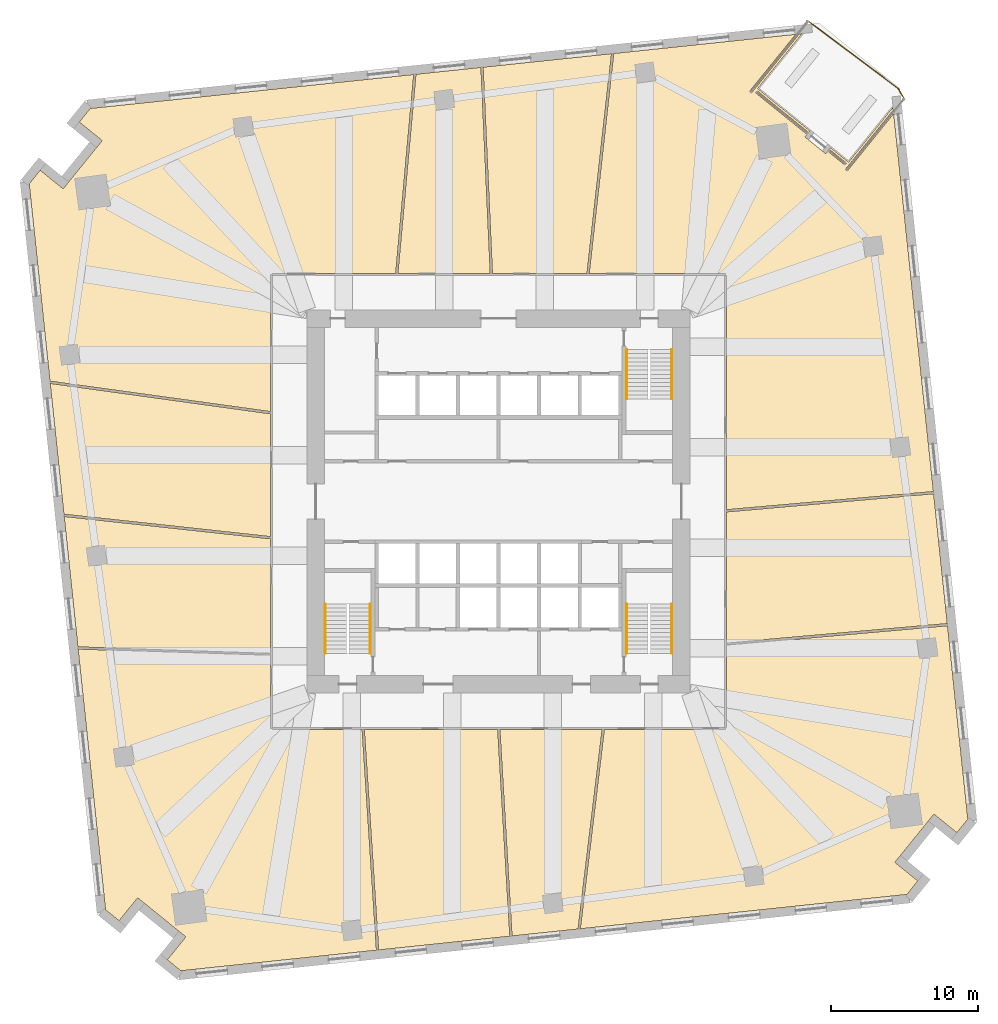
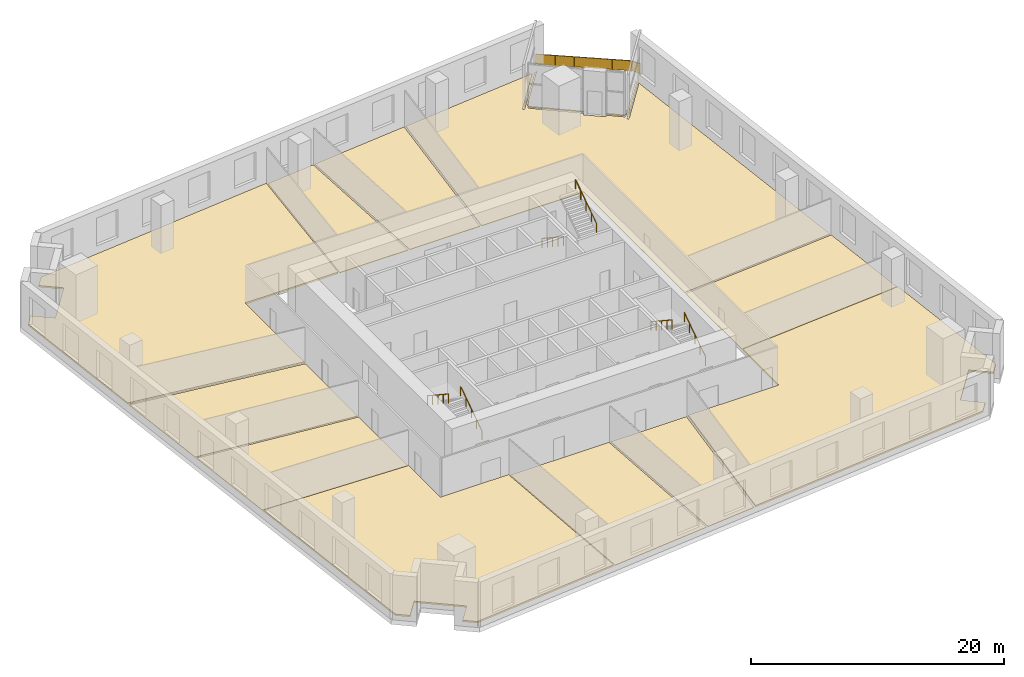
# One storey, part 9 of 10: 11 coverings, 7 railings.
"""IFC4 building model written with IfcOpenShell, lengths in metres."""

from ifc_helpers import new_model, si_unit, direction, frame, origin, origin_2d, place, context, subcontext, project, spatial, polyline, rectangle, circle, outline, extrude, material, layer, layer_set, type_object, element, save


model = new_model("IFC4")

# Units and contexts
model_context = context("Model", 3, precision=1e-05, world=origin(), true_north=direction((0.0, 1.0)))
body_context = subcontext(model_context, "Body", "Model", "MODEL_VIEW")
ifc_project = project(units=[si_unit("LENGTHUNIT", "METRE"), si_unit("AREAUNIT", "SQUARE_METRE"), si_unit("VOLUMEUNIT", "CUBIC_METRE"), si_unit("PLANEANGLEUNIT", "RADIAN"), si_unit("MASSUNIT", "GRAM", prefix="KILO")], contexts=[model_context])

# Site, building, storey
site_placement = place(None, origin())
site = spatial("IfcSite", under=ifc_project, at=site_placement, CompositionType="ELEMENT")
building_placement = place(site_placement, origin())
building = spatial("IfcBuilding", under=site, at=building_placement, Name="Dilmun Exchange Tower", CompositionType="ELEMENT")
storey_placement = place(building_placement, frame((0.0, 0.0, 36.89990234375)))
storey = spatial("IfcBuildingStorey", under=building, at=storey_placement, Name="L08", CompositionType="ELEMENT", Elevation=36.89990234375)

# Coverings
ifc_material_1 = material(Name="Carpet floor finish 50")
ifc_layer_1 = layer(ifc_material_1, 0.050048828125)
ifc_layer_set_1 = layer_set([ifc_layer_1], Name="Carpet floor finish 50")
covering_type_1 = type_object("IfcCoveringType", Name="Carpet floor finish 50", PredefinedType="FLOORING", material=ifc_layer_set_1)
covering_1_placement = place(storey_placement, origin())
element("IfcCovering", 1, at=covering_1_placement, inside=storey, type_object=covering_type_1, Name="Carpet floor finish 50 Broker office 1", PredefinedType="FLOORING", context=body_context, shape_type="SweptSolid", body=[
    extrude(outline(polyline([(-15.47509765625, 5.94482421875), (-15.47509765625, -2.381103515625), (-29.468994140625, -0.864990234375), (-30.4013671875, 8.004638671875), (-15.47509765625, 5.94482421875)])), origin(), (0.0, 0.0, 1.0), 0.050048828125),
])
covering_2_placement = place(storey_placement, origin())
element("IfcCovering", 2, at=covering_2_placement, inside=storey, type_object=covering_type_1, Name="Carpet floor finish 50 Trading support office 1", PredefinedType="FLOORING", context=body_context, shape_type="SweptSolid", body=[
    extrude(outline(polyline([(-15.47509765625, -2.531982421875), (-15.47509765625, -10.28662109375), (-28.5234375, -9.861083984375), (-29.452880859375, -1.017578125), (-15.47509765625, -2.531982421875)])), origin(), (0.0, 0.0, 1.0), 0.050048828125),
])
covering_3_placement = place(storey_placement, origin())
element("IfcCovering", 3, at=covering_3_placement, inside=storey, type_object=covering_type_1, Name="Carpet floor finish 50 Broker office 2", PredefinedType="FLOORING", context=body_context, shape_type="SweptSolid", body=[
    extrude(outline(polyline([(-9.098876953125, -15.47509765625), (-0.05712890625, -15.47509765625), (0.765869140625, -29.4794921875), (-8.12939453125, -30.414306640625), (-9.098876953125, -15.47509765625)])), origin(), (0.0, 0.0, 1.0), 0.050048828125),
])
covering_4_placement = place(storey_placement, origin())
element("IfcCovering", 4, at=covering_4_placement, inside=storey, type_object=covering_type_1, Name="Carpet floor finish 50 Broker office 3", PredefinedType="FLOORING", context=body_context, shape_type="SweptSolid", body=[
    extrude(outline(polyline([(-0.56298828125, 15.47509765625), (-6.822509765625, 15.47509765625), (-5.600830078125, 28.97119140625), (-1.194580078125, 29.434326171875), (-0.56298828125, 15.47509765625)])), origin(), (0.0, 0.0, 1.0), 0.050048828125),
])
covering_5_placement = place(storey_placement, origin())
element("IfcCovering", 5, at=covering_5_placement, inside=storey, type_object=covering_type_1, Name="Carpet floor finish 50 Broker office 4", PredefinedType="FLOORING", context=body_context, shape_type="SweptSolid", body=[
    extrude(outline(polyline([(5.997802734375, 15.47509765625), (-0.41259765625, 15.47509765625), (-1.045166015625, 29.4501953125), (7.659912109375, 30.364990234375), (5.997802734375, 15.47509765625)])), origin(), (0.0, 0.0, 1.0), 0.050048828125),
])
covering_6_placement = place(storey_placement, origin())
element("IfcCovering", 6, at=covering_6_placement, inside=storey, type_object=covering_type_1, Name="Carpet floor finish 50 Trading support office 2", PredefinedType="FLOORING", context=body_context, shape_type="SweptSolid", body=[
    extrude(outline(polyline([(0.093017578125, -15.47509765625), (7.022705078125, -15.47509765625), (5.392822265625, -28.9931640625), (0.915283203125, -29.463623046875), (0.093017578125, -15.47509765625)])), origin(), (0.0, 0.0, 1.0), 0.050048828125),
])
covering_7_placement = place(storey_placement, origin())
element("IfcCovering", 7, at=covering_7_placement, inside=storey, type_object=covering_type_1, Name="Carpet floor finish 50 Garden lounge", PredefinedType="FLOORING", context=body_context, shape_type="SweptSolid", body=[
    extrude(outline(polyline([(17.571044921875, 27.997314453125), (21.116455078125, 25.12646484375), (21.0263671875, 25.015380859375), (17.539306640625, 27.839111328125), (17.5390625, 27.839111328125), (17.5390625, 27.839111328125), (17.538818359375, 27.83935546875), (17.53857421875, 27.83935546875), (17.538330078125, 27.83935546875), (17.5380859375, 27.839599609375), (17.5380859375, 27.839599609375), (17.537841796875, 27.839599609375), (17.53759765625, 27.83935546875), (17.53759765625, 27.83935546875), (17.537353515625, 27.83935546875), (17.537109375, 27.839111328125), (17.536865234375, 27.839111328125), (17.536865234375, 27.839111328125), (17.53662109375, 27.8388671875), (17.53662109375, 27.838623046875), (17.435791015625, 27.71435546875), (17.435791015625, 27.714111328125), (17.435546875, 27.714111328125), (17.435546875, 27.7138671875), (17.435302734375, 27.713623046875), (17.435302734375, 27.71337890625), (17.435302734375, 27.71337890625), (17.435302734375, 27.713134765625), (17.435302734375, 27.712890625), (17.435302734375, 27.712646484375), (17.435302734375, 27.71240234375), (17.435546875, 27.71240234375), (17.435546875, 27.712158203125), (17.435791015625, 27.7119140625), (17.435791015625, 27.7119140625), (17.43603515625, 27.711669921875), (17.43603515625, 27.711669921875), (20.923095703125, 24.8876953125), (20.7861328125, 24.718505859375), (20.785888671875, 24.71826171875), (20.785888671875, 24.718017578125), (20.785888671875, 24.718017578125), (20.78564453125, 24.7177734375), (20.78564453125, 24.717529296875), (20.78564453125, 24.71728515625), (20.78564453125, 24.717041015625), (20.78564453125, 24.716796875), (20.78564453125, 24.716796875), (20.78564453125, 24.716552734375), (20.785888671875, 24.71630859375), (20.785888671875, 24.71630859375), (20.785888671875, 24.716064453125), (20.7861328125, 24.7158203125), (20.7861328125, 24.7158203125), (20.786376953125, 24.715576171875), (22.185302734375, 23.582763671875), (22.185302734375, 23.582763671875), (22.185546875, 23.58251953125), (22.185791015625, 23.58251953125), (22.185791015625, 23.58251953125), (22.18603515625, 23.58251953125), (22.186279296875, 23.58251953125), (22.1865234375, 23.58251953125), (22.186767578125, 23.58251953125), (22.18701171875, 23.58251953125), (22.18701171875, 23.58251953125), (22.187255859375, 23.58251953125), (22.1875, 23.58251953125), (22.1875, 23.582763671875), (22.187744140625, 23.582763671875), (22.18798828125, 23.5830078125), (22.18798828125, 23.5830078125), (22.3251953125, 23.75244140625), (23.48095703125, 22.816650390625), (23.481201171875, 22.816650390625), (23.481201171875, 22.81640625), (23.4814453125, 22.81640625), (23.481689453125, 22.81640625), (23.481689453125, 22.81640625), (23.48193359375, 22.816162109375), (23.482177734375, 22.816162109375), (23.482421875, 22.816162109375), (23.482666015625, 22.81640625), (23.482666015625, 22.81640625), (23.48291015625, 22.81640625), (23.483154296875, 22.81640625), (23.4833984375, 22.816650390625), (23.4833984375, 22.816650390625), (23.483642578125, 22.81689453125), (23.483642578125, 22.81689453125), (23.58447265625, 22.94140625), (23.58447265625, 22.94140625), (23.584716796875, 22.941650390625), (23.584716796875, 22.94189453125), (23.584716796875, 22.94189453125), (23.584716796875, 22.942138671875), (23.584716796875, 22.9423828125), (23.584716796875, 22.942626953125), (23.584716796875, 22.94287109375), (23.584716796875, 22.943115234375), (23.584716796875, 22.943115234375), (23.584716796875, 22.943359375), (23.584716796875, 22.943603515625), (23.58447265625, 22.943603515625), (23.58447265625, 22.94384765625), (23.584228515625, 22.944091796875), (23.583984375, 22.944091796875), (22.428466796875, 23.8798828125), (22.518310546875, 23.9912109375), (23.732421875, 23.008056640625), (26.75, 26.734619140625), (26.771240234375, 26.533447265625), (23.51318359375, 22.510009765625), (23.512939453125, 22.509765625), (23.512939453125, 22.509765625), (23.5126953125, 22.509521484375), (23.5126953125, 22.50927734375), (23.5126953125, 22.509033203125), (23.5126953125, 22.5087890625), (23.5126953125, 22.5087890625), (23.5126953125, 22.508544921875), (23.5126953125, 22.50830078125), (23.5126953125, 22.50830078125), (23.5126953125, 22.508056640625), (23.512939453125, 22.5078125), (23.512939453125, 22.507568359375), (23.51318359375, 22.507568359375), (23.51318359375, 22.50732421875), (23.513427734375, 22.507080078125), (23.6376953125, 22.406494140625), (23.637939453125, 22.406494140625), (23.637939453125, 22.40625), (23.63818359375, 22.40625), (23.638427734375, 22.406005859375), (23.638671875, 22.406005859375), (23.638916015625, 22.406005859375), (23.638916015625, 22.406005859375), (23.63916015625, 22.406005859375), (23.639404296875, 22.406005859375), (23.6396484375, 22.406005859375), (23.6396484375, 22.40625), (23.639892578125, 22.40625), (23.64013671875, 22.406494140625), (23.640380859375, 22.406494140625), (23.640380859375, 22.406494140625), (23.640380859375, 22.40673828125), (26.79541015625, 26.302734375), (29.4892578125, 0.672119140625), (15.47509765625, -0.5576171875), (15.47509765625, 15.47509765625), (6.148681640625, 15.47509765625), (7.8125, 30.381103515625), (20.156982421875, 31.678466796875), (17.002197265625, 27.78271484375), (17.001953125, 27.782470703125), (17.001953125, 27.7822265625), (17.001708984375, 27.781982421875), (17.001708984375, 27.781982421875), (17.001708984375, 27.78173828125), (17.001708984375, 27.781494140625), (17.001708984375, 27.78125), (17.001708984375, 27.781005859375), (17.001708984375, 27.781005859375), (17.001708984375, 27.78076171875), (17.001708984375, 27.780517578125), (17.001953125, 27.780517578125), (17.001953125, 27.7802734375), (17.002197265625, 27.780029296875), (17.002197265625, 27.77978515625), (17.00244140625, 27.77978515625), (17.126708984375, 27.67919921875), (17.126953125, 27.678955078125), (17.126953125, 27.678955078125), (17.127197265625, 27.6787109375), (17.12744140625, 27.6787109375), (17.127685546875, 27.6787109375), (17.127685546875, 27.6787109375), (17.1279296875, 27.6787109375), (17.128173828125, 27.6787109375), (17.12841796875, 27.6787109375), (17.128662109375, 27.6787109375), (17.128662109375, 27.6787109375), (17.12890625, 27.678955078125), (17.129150390625, 27.678955078125), (17.12939453125, 27.67919921875), (17.12939453125, 27.67919921875), (17.12939453125, 27.679443359375), (20.387451171875, 31.70263671875), (20.588623046875, 31.723876953125), (17.571044921875, 27.997314453125)])), origin(), (0.0, 0.0, 1.0), 0.050048828125),
])
covering_8_placement = place(storey_placement, origin())
element("IfcCovering", 8, at=covering_8_placement, inside=storey, type_object=covering_type_1, Name="Carpet floor finish 50 Trading support office 3", PredefinedType="FLOORING", context=body_context, shape_type="SweptSolid", body=[
    extrude(outline(polyline([(15.47509765625, -9.595947265625), (15.47509765625, -0.7080078125), (29.5048828125, 0.522705078125), (30.43017578125, -8.27880859375), (15.47509765625, -9.595947265625)])), origin(), (0.0, 0.0, 1.0), 0.050048828125),
])
ifc_material_2 = material(Name="Raised access floor 150")
ifc_layer_2 = layer(ifc_material_2, 0.14990234375)
ifc_layer_set_2 = layer_set([ifc_layer_2], Name="Raised access floor 150")
covering_type_2 = type_object("IfcCoveringType", Name="Raised access floor 150", PredefinedType="FLOORING", material=ifc_layer_set_2)
covering_9_placement = place(storey_placement, origin())
element("IfcCovering", 9, at=covering_9_placement, inside=storey, type_object=covering_type_2, Name="Raised access floor 150 Trading hall 1", PredefinedType="FLOORING", context=body_context, shape_type="SweptSolid", body=[
    extrude(outline(polyline([(-6.972900390625, 15.47509765625), (-15.47509765625, 15.47509765625), (-15.47509765625, 6.09619140625), (-30.41748046875, 8.158447265625), (-31.82421875, 21.542236328125), (-31.078857421875, 22.46240234375), (-29.526123046875, 21.205078125), (-29.52587890625, 21.204833984375), (-29.52587890625, 21.204833984375), (-29.525634765625, 21.20458984375), (-29.525390625, 21.20458984375), (-29.525390625, 21.20458984375), (-29.525146484375, 21.20458984375), (-29.52490234375, 21.20458984375), (-29.524658203125, 21.20458984375), (-29.5244140625, 21.20458984375), (-29.5244140625, 21.20458984375), (-29.524169921875, 21.20458984375), (-29.52392578125, 21.204833984375), (-29.523681640625, 21.204833984375), (-29.523681640625, 21.205078125), (-29.5234375, 21.205078125), (-29.523193359375, 21.205322265625), (-29.145751953125, 21.671630859375), (-29.145751953125, 21.671630859375), (-27.258056640625, 24.002685546875), (-27.258056640625, 24.002685546875), (-27.2578125, 24.0029296875), (-27.2578125, 24.0029296875), (-26.880126953125, 24.46923828125), (-26.8798828125, 24.469482421875), (-26.8798828125, 24.469482421875), (-26.8798828125, 24.4697265625), (-26.8798828125, 24.469970703125), (-26.879638671875, 24.47021484375), (-26.879638671875, 24.470458984375), (-26.879638671875, 24.470703125), (-26.879638671875, 24.470703125), (-26.879638671875, 24.470947265625), (-26.8798828125, 24.47119140625), (-26.8798828125, 24.47119140625), (-26.8798828125, 24.471435546875), (-26.8798828125, 24.4716796875), (-26.880126953125, 24.4716796875), (-26.88037109375, 24.471923828125), (-26.88037109375, 24.47216796875), (-28.43310546875, 25.7294921875), (-27.68798828125, 26.64990234375), (-5.7529296875, 28.955322265625), (-6.972900390625, 15.47509765625)])), origin(), (0.0, 0.0, 1.0), 0.150146484375),
])
covering_10_placement = place(storey_placement, origin())
element("IfcCovering", 10, at=covering_10_placement, inside=storey, type_object=covering_type_2, Name="Raised access floor 150 Dealing room", PredefinedType="FLOORING", context=body_context, shape_type="SweptSolid", body=[
    extrude(outline(polyline([(-15.47509765625, -10.4365234375), (-15.47509765625, -15.47509765625), (-9.2490234375, -15.47509765625), (-8.27880859375, -30.43017578125), (-21.542236328125, -31.82421875), (-22.46240234375, -31.078857421875), (-21.205078125, -29.526123046875), (-21.204833984375, -29.52587890625), (-21.204833984375, -29.52587890625), (-21.20458984375, -29.525634765625), (-21.20458984375, -29.525390625), (-21.20458984375, -29.525390625), (-21.20458984375, -29.525146484375), (-21.20458984375, -29.52490234375), (-21.20458984375, -29.524658203125), (-21.20458984375, -29.5244140625), (-21.20458984375, -29.5244140625), (-21.20458984375, -29.524169921875), (-21.204833984375, -29.52392578125), (-21.204833984375, -29.523681640625), (-21.205078125, -29.523681640625), (-21.205078125, -29.5234375), (-21.205322265625, -29.523193359375), (-21.671630859375, -29.145751953125), (-21.671630859375, -29.145751953125), (-24.002685546875, -27.258056640625), (-24.002685546875, -27.258056640625), (-24.0029296875, -27.2578125), (-24.0029296875, -27.2578125), (-24.46923828125, -26.880126953125), (-24.469482421875, -26.8798828125), (-24.469482421875, -26.8798828125), (-24.4697265625, -26.8798828125), (-24.469970703125, -26.8798828125), (-24.47021484375, -26.879638671875), (-24.470458984375, -26.879638671875), (-24.470703125, -26.879638671875), (-24.470703125, -26.879638671875), (-24.470947265625, -26.879638671875), (-24.47119140625, -26.8798828125), (-24.47119140625, -26.8798828125), (-24.471435546875, -26.8798828125), (-24.4716796875, -26.8798828125), (-24.4716796875, -26.880126953125), (-24.471923828125, -26.88037109375), (-24.47216796875, -26.88037109375), (-25.7294921875, -28.43310546875), (-26.64990234375, -27.68798828125), (-28.5078125, -10.01171875), (-15.47509765625, -10.4365234375)])), origin(), (0.0, 0.0, 1.0), 0.150146484375),
])
covering_11_placement = place(storey_placement, origin())
element("IfcCovering", 11, at=covering_11_placement, inside=storey, type_object=covering_type_2, Name="Raised access floor 150 Trading hall 2", PredefinedType="FLOORING", context=body_context, shape_type="SweptSolid", body=[
    extrude(outline(polyline([(7.173828125, -15.47509765625), (15.47509765625, -15.47509765625), (15.47509765625, -9.74658203125), (30.44580078125, -8.427978515625), (31.82421875, -21.542236328125), (31.078857421875, -22.46240234375), (29.526123046875, -21.205078125), (29.52587890625, -21.204833984375), (29.52587890625, -21.204833984375), (29.525634765625, -21.20458984375), (29.525390625, -21.20458984375), (29.525390625, -21.20458984375), (29.525146484375, -21.20458984375), (29.52490234375, -21.20458984375), (29.524658203125, -21.20458984375), (29.5244140625, -21.20458984375), (29.5244140625, -21.20458984375), (29.524169921875, -21.20458984375), (29.52392578125, -21.204833984375), (29.523681640625, -21.204833984375), (29.523681640625, -21.205078125), (29.5234375, -21.205078125), (29.523193359375, -21.205322265625), (29.145751953125, -21.671630859375), (29.145751953125, -21.671630859375), (27.258056640625, -24.002685546875), (27.258056640625, -24.002685546875), (27.2578125, -24.0029296875), (27.2578125, -24.0029296875), (26.880126953125, -24.46923828125), (26.8798828125, -24.469482421875), (26.8798828125, -24.469482421875), (26.8798828125, -24.4697265625), (26.8798828125, -24.469970703125), (26.879638671875, -24.47021484375), (26.879638671875, -24.470458984375), (26.879638671875, -24.470703125), (26.879638671875, -24.470703125), (26.879638671875, -24.470947265625), (26.8798828125, -24.47119140625), (26.8798828125, -24.47119140625), (26.8798828125, -24.471435546875), (26.8798828125, -24.4716796875), (26.880126953125, -24.4716796875), (26.88037109375, -24.471923828125), (26.88037109375, -24.47216796875), (28.43310546875, -25.7294921875), (27.68798828125, -26.64990234375), (5.5458984375, -28.97705078125), (7.173828125, -15.47509765625)])), origin(), (0.0, 0.0, 1.0), 0.150146484375),
])

# Railings
ifc_material_3 = material(Name="Stainless steel", Category="steel")
railing_type_1 = type_object("IfcRailingType", Name="Stair handrail 900", PredefinedType="HANDRAIL", material=ifc_material_3)
railing_1_placement = place(storey_placement, frame((8.699951171875, 10.300048828125, 0.184814453125)))
element("IfcRailing", 12, at=railing_1_placement, inside=storey, type_object=railing_type_1, Name="L08 ST1 stair handrail 1", PredefinedType="HANDRAIL", context=body_context, shape_type="SweptSolid", body=[
    extrude(circle(Radius=0.02392578125, at=origin_2d()), frame((0.0, 0.0, 0.8759765625), z_axis=(0.0, -0.834876476806, 0.550437342915), x_axis=(1.0, 0.0, 0.0)), (0.0, 0.0, 1.0), 4.024658203125),
    extrude(circle(Radius=0.02099609375, at=origin_2d()), origin(), (0.0, 0.0, 1.0), 0.851806640625),
    extrude(circle(Radius=0.02099609375, at=origin_2d()), frame((0.0, -0.840087890625, 0.5537109375)), (0.0, 0.0, 1.0), 0.851806640625),
    extrude(circle(Radius=0.02099609375, at=origin_2d()), frame((0.0, -1.68017578125, 1.107666015625)), (0.0, 0.0, 1.0), 0.851806640625),
    extrude(circle(Radius=0.02099609375, at=origin_2d()), frame((0.0, -2.52001953125, 1.66162109375)), (0.0, 0.0, 1.0), 0.851806640625),
    extrude(circle(Radius=0.02099609375, at=origin_2d()), frame((0.0, -3.360107421875, 2.21533203125)), (0.0, 0.0, 1.0), 0.851806640625),
])
for number, where, name in (
    (13, (11.75, 6.93994140625, 2.584716796875), "L08 ST1 stair handrail 2"),
    (14, (-8.699951171875, -10.300048828125, 0.184814453125), "L08 ST2 stair handrail 1"),
):
    element("IfcRailing", number, at=place(storey_placement, frame(where)), inside=storey, type_object=railing_type_1, Name=name, PredefinedType="HANDRAIL", context=body_context, shape_type="SweptSolid", body=[
        extrude(circle(Radius=0.02392578125, at=origin_2d()), frame((0.0, 0.0, 0.8759765625), z_axis=(0.0, 0.834876476806, 0.550437342915), x_axis=(-1.0, 0.0, 0.0)), (0.0, 0.0, 1.0), 4.024658203125),
        extrude(circle(Radius=0.02099609375, at=origin_2d()), origin(), (0.0, 0.0, 1.0), 0.851806640625),
        extrude(circle(Radius=0.02099609375, at=origin_2d()), frame((0.0, 0.840087890625, 0.5537109375)), (0.0, 0.0, 1.0), 0.851806640625),
        extrude(circle(Radius=0.02099609375, at=origin_2d()), frame((0.0, 1.68017578125, 1.107666015625)), (0.0, 0.0, 1.0), 0.851806640625),
        extrude(circle(Radius=0.02099609375, at=origin_2d()), frame((0.0, 2.52001953125, 1.66162109375)), (0.0, 0.0, 1.0), 0.851806640625),
        extrude(circle(Radius=0.02099609375, at=origin_2d()), frame((0.0, 3.360107421875, 2.21533203125)), (0.0, 0.0, 1.0), 0.851806640625),
    ])
railing_2_placement = place(storey_placement, frame((-11.75, -6.93994140625, 2.584716796875)))
element("IfcRailing", 15, at=railing_2_placement, inside=storey, type_object=railing_type_1, Name="L08 ST2 stair handrail 2", PredefinedType="HANDRAIL", context=body_context, shape_type="SweptSolid", body=[
    extrude(circle(Radius=0.02392578125, at=origin_2d()), frame((0.0, 0.0, 0.8759765625), z_axis=(0.0, -0.834876476806, 0.550437342915), x_axis=(1.0, 0.0, 0.0)), (0.0, 0.0, 1.0), 4.024658203125),
    extrude(circle(Radius=0.02099609375, at=origin_2d()), origin(), (0.0, 0.0, 1.0), 0.851806640625),
    extrude(circle(Radius=0.02099609375, at=origin_2d()), frame((0.0, -0.840087890625, 0.5537109375)), (0.0, 0.0, 1.0), 0.851806640625),
    extrude(circle(Radius=0.02099609375, at=origin_2d()), frame((0.0, -1.68017578125, 1.107666015625)), (0.0, 0.0, 1.0), 0.851806640625),
    extrude(circle(Radius=0.02099609375, at=origin_2d()), frame((0.0, -2.52001953125, 1.66162109375)), (0.0, 0.0, 1.0), 0.851806640625),
    extrude(circle(Radius=0.02099609375, at=origin_2d()), frame((0.0, -3.360107421875, 2.21533203125)), (0.0, 0.0, 1.0), 0.851806640625),
])
railing_3_placement = place(storey_placement, frame((11.75, -10.300048828125, 0.184814453125)))
element("IfcRailing", 16, at=railing_3_placement, inside=storey, type_object=railing_type_1, Name="L08 ST3 stair handrail 1", PredefinedType="HANDRAIL", context=body_context, shape_type="SweptSolid", body=[
    extrude(circle(Radius=0.02392578125, at=origin_2d()), frame((0.0, 0.0, 0.8759765625), z_axis=(0.0, 0.834876476806, 0.550437342915), x_axis=(-1.0, 0.0, 0.0)), (0.0, 0.0, 1.0), 4.024658203125),
    extrude(circle(Radius=0.02099609375, at=origin_2d()), origin(), (0.0, 0.0, 1.0), 0.851806640625),
    extrude(circle(Radius=0.02099609375, at=origin_2d()), frame((0.0, 0.840087890625, 0.5537109375)), (0.0, 0.0, 1.0), 0.851806640625),
    extrude(circle(Radius=0.02099609375, at=origin_2d()), frame((0.0, 1.68017578125, 1.107666015625)), (0.0, 0.0, 1.0), 0.851806640625),
    extrude(circle(Radius=0.02099609375, at=origin_2d()), frame((0.0, 2.52001953125, 1.66162109375)), (0.0, 0.0, 1.0), 0.851806640625),
    extrude(circle(Radius=0.02099609375, at=origin_2d()), frame((0.0, 3.360107421875, 2.21533203125)), (0.0, 0.0, 1.0), 0.851806640625),
])
railing_4_placement = place(storey_placement, frame((8.699951171875, -6.93994140625, 2.584716796875)))
element("IfcRailing", 17, at=railing_4_placement, inside=storey, type_object=railing_type_1, Name="L08 ST3 stair handrail 2", PredefinedType="HANDRAIL", context=body_context, shape_type="SweptSolid", body=[
    extrude(circle(Radius=0.02392578125, at=origin_2d()), frame((0.0, 0.0, 0.8759765625), z_axis=(0.0, -0.834876476806, 0.550437342915), x_axis=(1.0, 0.0, 0.0)), (0.0, 0.0, 1.0), 4.024658203125),
    extrude(circle(Radius=0.02099609375, at=origin_2d()), origin(), (0.0, 0.0, 1.0), 0.851806640625),
    extrude(circle(Radius=0.02099609375, at=origin_2d()), frame((0.0, -0.840087890625, 0.5537109375)), (0.0, 0.0, 1.0), 0.851806640625),
    extrude(circle(Radius=0.02099609375, at=origin_2d()), frame((0.0, -1.68017578125, 1.107666015625)), (0.0, 0.0, 1.0), 0.851806640625),
    extrude(circle(Radius=0.02099609375, at=origin_2d()), frame((0.0, -2.52001953125, 1.66162109375)), (0.0, 0.0, 1.0), 0.851806640625),
    extrude(circle(Radius=0.02099609375, at=origin_2d()), frame((0.0, -3.360107421875, 2.21533203125)), (0.0, 0.0, 1.0), 0.851806640625),
])
railing_type_2 = type_object("IfcRailingType", Name="Terrace guard 1100 stainless steel", PredefinedType="GUARDRAIL", material=ifc_material_3)
railing_5_placement = place(storey_placement, frame((20.996826171875, 32.58544921875, 0.0)))
element("IfcRailing", 18, at=railing_5_placement, inside=storey, type_object=railing_type_2, Name="Terrace guard 1", PredefinedType="GUARDRAIL", context=body_context, shape_type="SweptSolid", body=[
    extrude(circle(Radius=0.02392578125, at=origin_2d()), frame((0.0, 0.0, 1.076171875), z_axis=(0.799366684391, -0.60084349367, 0.0), x_axis=(0.60084349367, 0.799366684391, 0.0)), (0.0, 0.0, 1.0), 7.63818359375),
    extrude(rectangle(XDim=0.011962890625, YDim=0.951904296875, at=origin_2d()), frame((0.0, 0.0, 0.576171875), z_axis=(0.799366684391, -0.60084349367, 0.0), x_axis=(0.60084349367, 0.799366684391, 0.0)), (0.0, 0.0, 1.0), 7.63818359375),
    extrude(circle(Radius=0.02392578125, at=origin_2d()), frame((6.105712890625, -4.58935546875, 1.076171875), z_axis=(0.510105595522, -0.860111784257, 0.0), x_axis=(0.860111784257, 0.510105595522, 0.0)), (0.0, 0.0, 1.0), 0.79443359375),
    extrude(rectangle(XDim=0.011962890625, YDim=0.951904296875, at=origin_2d()), frame((6.105712890625, -4.58935546875, 0.576171875), z_axis=(0.510105595522, -0.860111784257, 0.0), x_axis=(0.860111784257, 0.510105595522, 0.0)), (0.0, 0.0, 1.0), 0.79443359375),
    extrude(circle(Radius=0.02099609375, at=origin_2d()), origin(), (0.0, 0.0, 1.0), 1.052001953125),
    extrude(circle(Radius=0.02099609375, at=origin_2d()), frame((1.22119140625, -0.91796875, 0.0)), (0.0, 0.0, 1.0), 1.052001953125),
    extrude(circle(Radius=0.02099609375, at=origin_2d()), frame((2.4423828125, -1.835693359375, 0.0)), (0.0, 0.0, 1.0), 1.052001953125),
    extrude(circle(Radius=0.02099609375, at=origin_2d()), frame((3.663330078125, -2.753662109375, 0.0)), (0.0, 0.0, 1.0), 1.052001953125),
    extrude(circle(Radius=0.02099609375, at=origin_2d()), frame((4.884521484375, -3.67138671875, 0.0)), (0.0, 0.0, 1.0), 1.052001953125),
    extrude(circle(Radius=0.02099609375, at=origin_2d()), frame((6.105712890625, -4.58935546875, 0.0)), (0.0, 0.0, 1.0), 1.052001953125),
    extrude(circle(Radius=0.02099609375, at=origin_2d()), frame((6.510986328125, -5.272705078125, 0.0)), (0.0, 0.0, 1.0), 1.052001953125),
])

save(model, "model.ifc")
